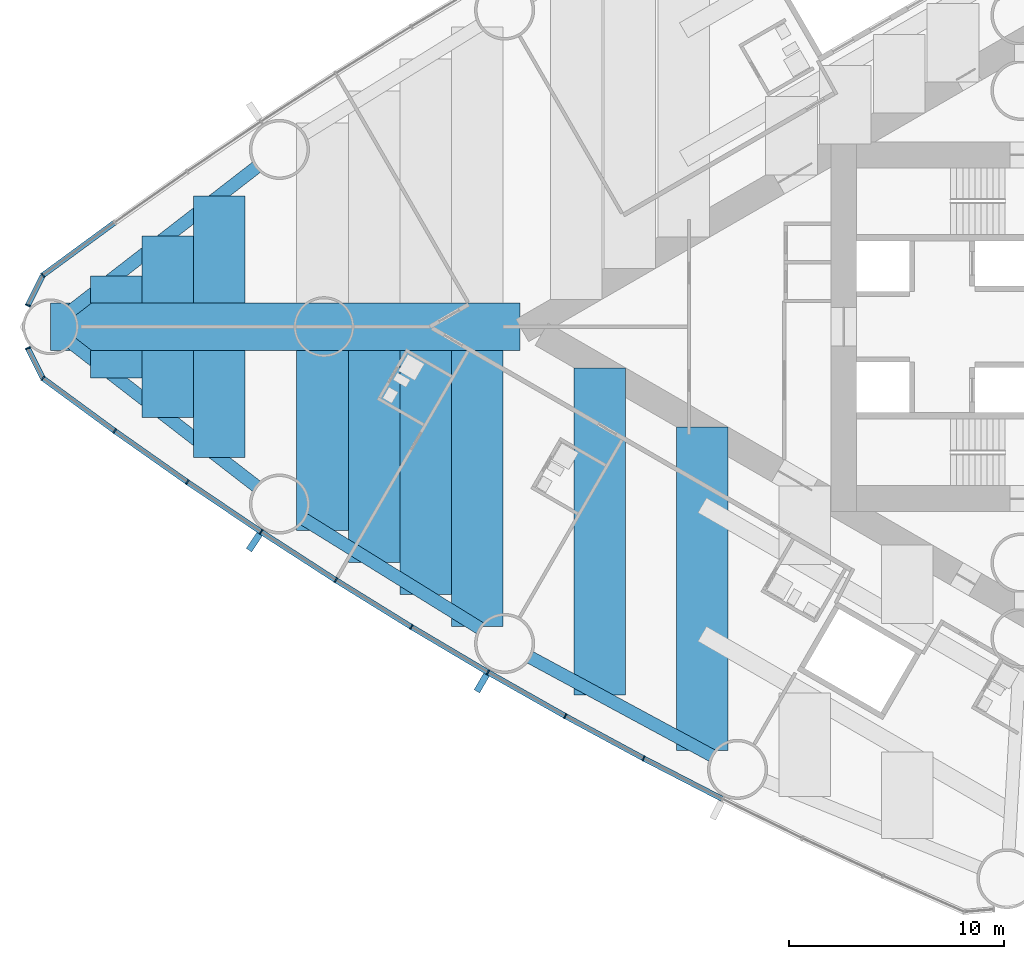
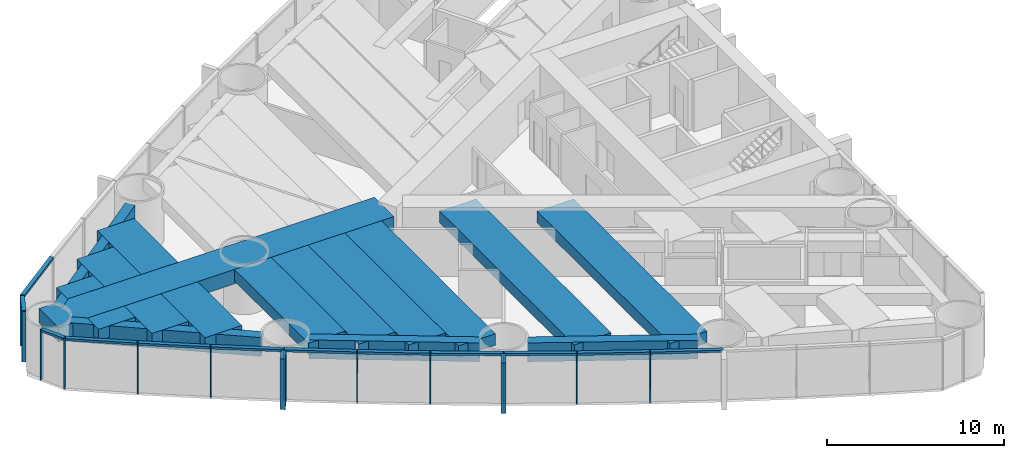
# One storey, part 2 of 19: 26 members, 17 beams, 2 elements without a shape of their own.
"""IFC4 building model written with IfcOpenShell, lengths in metres."""

import ifcopenshell
import ifcopenshell.guid

model = None  # the IFC model being written
_history = None  # IfcOwnerHistory: only IFC2X3 demands one
_inside = {}  # id of a spatial element -> (the spatial element, [elements in it])
_under = {}  # id of a project, library or spatial element -> (it, [spatial elements below it])
_declared = {}  # id of a project -> (the project, [libraries it declares])
_typed = {}  # id of a type object -> (the type object, [elements of that type])
_made_of = {}  # id of a material, layer set ... -> (it, [elements and type objects made of it])


def new_model(schema):
    """Start an empty IFC model of exactly this schema.

    Asked for "IFC4X3", IfcOpenShell would pick the latest addendum, in which some entities
    have other attributes; the version numbers below select the first issue.
    IFC2X3 requires an IfcOwnerHistory on every rooted entity: one is made here for all.
    """
    global model, _history
    if schema == "IFC4X3":
        model = ifcopenshell.file(schema_version=(4, 3, 0, 0))
    else:
        model = ifcopenshell.file(schema=schema)
    _inside.clear()
    _under.clear()
    _declared.clear()
    _typed.clear()
    _made_of.clear()
    _history = None
    if model.schema == "IFC2X3":
        org = make("IfcOrganization", Name="unknown")
        user = make(
            "IfcPersonAndOrganization",
            ThePerson=make("IfcPerson", FamilyName="unknown"),
            TheOrganization=org,
        )
        app = make(
            "IfcApplication",
            ApplicationDeveloper=org,
            Version="unknown",
            ApplicationFullName="unknown",
            ApplicationIdentifier="unknown",
        )
        _history = make(
            "IfcOwnerHistory",
            OwningUser=user,
            OwningApplication=app,
            ChangeAction="ADDED",
            CreationDate=0,
        )
    return model


def make(cls, **values):
    """One entity of the class cls with the attributes given. An attribute that is None is left unset."""
    return model.create_entity(
        cls, **{name: value for name, value in values.items() if value is not None}
    )


def rooted(cls, **values):
    """An entity with a GlobalId (a new one), such as an element, a storey or a relation."""
    return make(cls, GlobalId=ifcopenshell.guid.new(), OwnerHistory=_history, **values)


def si_unit(unit_type, name, prefix=None):
    """IfcSIUnit, for example si_unit("LENGTHUNIT", "METRE", prefix="MILLI")."""
    return make("IfcSIUnit", UnitType=unit_type, Prefix=prefix, Name=name)


def assignment(units):
    """IfcUnitAssignment: the units of a project."""
    return None if units is None else make("IfcUnitAssignment", Units=units)


def point(xyz):
    """IfcCartesianPoint."""
    return None if xyz is None else make("IfcCartesianPoint", Coordinates=xyz)


def direction(xyz):
    """IfcDirection."""
    return None if xyz is None else make("IfcDirection", DirectionRatios=xyz)


def frame(location, z_axis=None, x_axis=None):
    """IfcAxis2Placement3D, a coordinate frame: its origin and axes. An axis left out is left unset."""
    return make(
        "IfcAxis2Placement3D",
        Location=point(location),
        Axis=direction(z_axis),
        RefDirection=direction(x_axis),
    )


def frame_2d(location, x_axis=None):
    """IfcAxis2Placement2D, a coordinate frame in the plane: its origin and x axis."""
    return make(
        "IfcAxis2Placement2D", Location=point(location), RefDirection=direction(x_axis)
    )


def origin():
    """The frame at (0, 0, 0) with its axes left unset."""
    return frame((0.0, 0.0, 0.0))


def origin_2d():
    """The frame at (0, 0) in the plane with its x axis left unset."""
    return frame_2d((0.0, 0.0))


def place(relative_to, where):
    """IfcLocalPlacement: puts the frame where relative to a parent placement (None: the world)."""
    return make(
        "IfcLocalPlacement", PlacementRelTo=relative_to, RelativePlacement=where
    )


def context(
    kind, dimensions, precision=None, world=None, true_north=None, identifier=None
):
    """IfcGeometricRepresentationContext, for example the 3D "Model" context."""
    return make(
        "IfcGeometricRepresentationContext",
        ContextIdentifier=identifier,
        ContextType=kind,
        CoordinateSpaceDimension=dimensions,
        Precision=precision,
        WorldCoordinateSystem=world,
        TrueNorth=true_north,
    )


def subcontext(parent, identifier, kind, view, scale=None):
    """IfcGeometricRepresentationSubContext, for example "Body" below "Model"."""
    return make(
        "IfcGeometricRepresentationSubContext",
        ContextIdentifier=identifier,
        ContextType=kind,
        ParentContext=parent,
        TargetScale=scale,
        TargetView=view,
    )


def project(units=None, contexts=None):
    """IfcProject with its units and contexts."""
    return rooted(
        "IfcProject",
        Name="project",
        RepresentationContexts=contexts,
        UnitsInContext=assignment(units),
    )


def spatial(cls, under=None, at=None, **own):
    """A site, building, storey or space (cls), placed at a placement, below another one or the project."""
    s = rooted(cls, ObjectPlacement=at, **own)
    if under is not None:
        _under.setdefault(under.id(), (under, []))[1].append(s)
    return s


def profile(cls, at=None, kind="AREA", **sizes):
    """A parametric profile (cls). Its sizes go by their IFC names, for example OverallWidth=200.0."""
    return make(cls, ProfileType=kind, Position=at, **sizes)


def rectangle(**sizes):
    """IfcRectangleProfileDef."""
    return profile("IfcRectangleProfileDef", **sizes)


def hollow_rectangle(**sizes):
    """IfcRectangleHollowProfileDef."""
    return profile("IfcRectangleHollowProfileDef", **sizes)


def extrude(swept, where, along, depth):
    """IfcExtrudedAreaSolid: the profile swept, set in the frame where, extruded along a direction by depth."""
    return make(
        "IfcExtrudedAreaSolid",
        SweptArea=swept,
        Position=where,
        ExtrudedDirection=direction(along),
        Depth=depth,
    )


def shape(context_of_items, identifier, shape_type, items):
    """IfcShapeRepresentation: the items that make up one representation, for example the "Body"."""
    return make(
        "IfcShapeRepresentation",
        ContextOfItems=context_of_items,
        RepresentationIdentifier=identifier,
        RepresentationType=shape_type,
        Items=items,
    )


def material(Name=None, Category=None):
    """IfcMaterial."""
    return make("IfcMaterial", Name=Name, Category=Category)


def material_profile(
    of_material, cross_section, Name=None, Category=None, Priority=None
):
    """IfcMaterialProfile: a cross section and its material."""
    return make(
        "IfcMaterialProfile",
        Name=Name,
        Material=of_material,
        Profile=cross_section,
        Priority=Priority,
        Category=Category,
    )


def profile_set(profiles, Name=None, composite=None):
    """IfcMaterialProfileSet."""
    return make(
        "IfcMaterialProfileSet",
        Name=Name,
        MaterialProfiles=profiles,
        CompositeProfile=composite,
    )


def made_of(thing, what):
    """Note that an element or type object is made of a material, layer set ...; save() writes the relation."""
    if what is not None:
        _made_of.setdefault(what.id(), (what, []))[1].append(thing)
    return thing


def type_object(cls, material=None, **own):
    """A type object (cls), such as IfcWallType, which elements share."""
    return made_of(rooted(cls, **own), material)


def element(
    cls,
    number,
    at=None,
    inside=None,
    cuts=None,
    type_object=None,
    material=None,
    context=None,
    identifier="Body",
    shape_type=None,
    held_by="IfcProductDefinitionShape",
    body=None,
    shapes=None,
    **own,
):
    """One element of the class cls, such as IfcWall. Its Tag is "e" and its number.

    at: its placement. inside: the storey or other place that contains it. cuts: it is an
    opening in that element (IfcRelVoidsElement). A single representation is given by context,
    identifier, shape_type and body (its items); several are given by shapes. held_by: the class
    of the entity that holds the representations. save() writes the other relations.
    """
    e = rooted(cls, Tag="e%d" % number, ObjectPlacement=at, **own)
    if body is not None:
        shapes = [shape(context, identifier, shape_type, body)]
    if shapes is not None:
        e.Representation = make(held_by, Representations=shapes)
    if inside is not None:
        _inside.setdefault(inside.id(), (inside, []))[1].append(e)
    if cuts is not None:
        rooted(
            "IfcRelVoidsElement", RelatingBuildingElement=cuts, RelatedOpeningElement=e
        )
    if type_object is not None:
        _typed.setdefault(type_object.id(), (type_object, []))[1].append(e)
    return made_of(e, material)


def aggregate(whole, parts):
    """IfcRelAggregates: a whole, such as a stair, and the parts it consists of."""
    return rooted("IfcRelAggregates", RelatingObject=whole, RelatedObjects=parts)


def save(model, path):
    """Write the relations noted so far, then the file.

    IfcRelAggregates (storeys below a building ...), IfcRelContainedInSpatialStructure (elements
    in a storey), IfcRelDefinesByType, IfcRelAssociatesMaterial and IfcRelDeclares: one each for
    every whole, place, type object, material and project.
    """
    for whole, parts in _under.values():
        aggregate(whole, parts)
    for where, things in _inside.values():
        rooted(
            "IfcRelContainedInSpatialStructure",
            RelatedElements=things,
            RelatingStructure=where,
        )
    for kind, things in _typed.values():
        rooted("IfcRelDefinesByType", RelatedObjects=things, RelatingType=kind)
    for what, things in _made_of.values():
        rooted("IfcRelAssociatesMaterial", RelatedObjects=things, RelatingMaterial=what)
    for by, libraries in _declared.values():
        rooted("IfcRelDeclares", RelatingContext=by, RelatedDefinitions=libraries)
    model.write(path)


model = new_model("IFC4")

# Units and contexts
model_context = context("Model", 3, precision=1e-05, world=origin(), true_north=direction((0.0, 1.0)))
body_context = subcontext(model_context, "Body", "Model", "MODEL_VIEW")
ifc_project = project(units=[si_unit("LENGTHUNIT", "METRE"), si_unit("AREAUNIT", "SQUARE_METRE"), si_unit("VOLUMEUNIT", "CUBIC_METRE"), si_unit("PLANEANGLEUNIT", "RADIAN"), si_unit("MASSUNIT", "GRAM", prefix="KILO")], contexts=[model_context])

# Site, building, storey
site_placement = place(None, origin())
site = spatial("IfcSite", under=ifc_project, at=site_placement, CompositionType="ELEMENT")
building_placement = place(site_placement, origin())
building = spatial("IfcBuilding", under=site, at=building_placement, Name="Lancet Gate Hotel", CompositionType="ELEMENT")
storey_placement = place(building_placement, frame((0.0, 0.0, 74.0)))
storey = spatial("IfcBuildingStorey", under=building, at=storey_placement, Name="L19", CompositionType="ELEMENT", Elevation=74.0)

# Curtain wall, members
ifc_material_1 = material(Name="Aluminium curtain wall", Category="aluminium")
curtain_wall_type = type_object("IfcCurtainWallType", Name="Tower unitised curtain wall", PredefinedType="USERDEFINED", material=ifc_material_1)
curtain_wall_1_placement = place(storey_placement, origin())
curtain_wall_1 = element("IfcCurtainWall", 1, at=curtain_wall_1_placement, inside=storey, type_object=curtain_wall_type, Name="T1 L19 curtain wall 2", ObjectType="UNITISED CURTAIN WALL", PredefinedType="USERDEFINED")
ifc_material_2 = material(Name="Aluminium mullion", Category="aluminium")
ifc_material_profile_1 = material_profile(ifc_material_2, rectangle(XDim=0.06494140625, YDim=0.25, at=origin_2d()), Name="MULLION 65x250")
ifc_profile_set_1 = profile_set([ifc_material_profile_1], Name="Aluminium mullion")
member_type_1 = type_object("IfcMemberType", Name="Aluminium mullion 65x250", PredefinedType="MULLION", material=ifc_profile_set_1)
member_1_placement = place(storey_placement, frame((-74.5830078125, 2.401611328125, 0.0), z_axis=(0.0, 0.0, 1.0), x_axis=(-0.723695580132, -0.690119342793, 0.0)))
member_1 = element("IfcMember", 2, at=member_1_placement, type_object=member_type_1, Name="T1 L19 curtain wall 2 mullion 14", PredefinedType="MULLION", context=body_context, shape_type="SweptSolid", body=[
    extrude(rectangle(XDim=0.06494140625, YDim=0.25, at=origin_2d()), origin(), (0.0, 0.0, 1.0), 3.5),
])
member_2_placement = place(storey_placement, frame((-75.287109375, 0.994873046875, 0.0), z_axis=(0.0, 0.0, 1.0), x_axis=(-0.447628324726, -0.89421970617, 0.0)))
member_2 = element("IfcMember", 3, at=member_2_placement, type_object=member_type_1, Name="T1 L19 curtain wall 2 mullion 15", PredefinedType="MULLION", context=body_context, shape_type="SweptSolid", body=[
    extrude(rectangle(XDim=0.06494140625, YDim=0.25, at=origin_2d()), origin(), (0.0, 0.0, 1.0), 3.5),
])

curtain_wall_2_placement = place(storey_placement, origin())
curtain_wall_2 = element("IfcCurtainWall", 4, at=curtain_wall_2_placement, inside=storey, type_object=curtain_wall_type, Name="T1 L19 curtain wall 3", ObjectType="UNITISED CURTAIN WALL", PredefinedType="USERDEFINED")
member_3_placement = place(storey_placement, frame((-75.287109375, -0.994873046875, 0.0), z_axis=(0.0, 0.0, 1.0), x_axis=(0.447628324726, -0.89421970617, 0.0)))
member_3 = element("IfcMember", 5, at=member_3_placement, type_object=member_type_1, Name="T1 L19 curtain wall 3 mullion 1", PredefinedType="MULLION", context=body_context, shape_type="SweptSolid", body=[
    extrude(rectangle(XDim=0.06494140625, YDim=0.25, at=origin_2d()), origin(), (0.0, 0.0, 1.0), 3.5),
])
member_4_placement = place(storey_placement, frame((-74.5830078125, -2.401611328125, 0.0), z_axis=(0.0, 0.0, 1.0), x_axis=(0.723695580132, -0.690119342793, 0.0)))
member_4 = element("IfcMember", 6, at=member_4_placement, type_object=member_type_1, Name="T1 L19 curtain wall 3 mullion 2", PredefinedType="MULLION", context=body_context, shape_type="SweptSolid", body=[
    extrude(rectangle(XDim=0.06494140625, YDim=0.25, at=origin_2d()), origin(), (0.0, 0.0, 1.0), 3.5),
])
member_5_placement = place(storey_placement, frame((-71.244384765625, -4.85009765625, 0.0), z_axis=(0.0, 0.0, 1.0), x_axis=(0.812146623168, -0.583453393578, 0.0)))
member_5 = element("IfcMember", 7, at=member_5_placement, type_object=member_type_1, Name="T1 L19 curtain wall 3 mullion 3", PredefinedType="MULLION", context=body_context, shape_type="SweptSolid", body=[
    extrude(rectangle(XDim=0.06494140625, YDim=0.25, at=origin_2d()), origin(), (0.0, 0.0, 1.0), 3.5),
])
member_6_placement = place(storey_placement, frame((-67.858154296875, -7.232666015625, 0.0), z_axis=(0.0, 0.0, 1.0), x_axis=(0.823425148573, -0.56742490666, 0.0)))
member_6 = element("IfcMember", 8, at=member_6_placement, type_object=member_type_1, Name="T1 L19 curtain wall 3 mullion 4", PredefinedType="MULLION", context=body_context, shape_type="SweptSolid", body=[
    extrude(rectangle(XDim=0.06494140625, YDim=0.25, at=origin_2d()), origin(), (0.0, 0.0, 1.0), 3.5),
])
member_7_placement = place(storey_placement, frame((-64.42626953125, -9.548583984375, 0.0), z_axis=(0.0, 0.0, 1.0), x_axis=(0.834387381945, -0.55117846189, 0.0)))
member_7 = element("IfcMember", 9, at=member_7_placement, type_object=member_type_1, Name="T1 L19 curtain wall 3 mullion 5", PredefinedType="MULLION", context=body_context, shape_type="SweptSolid", body=[
    extrude(rectangle(XDim=0.06494140625, YDim=0.25, at=origin_2d()), origin(), (0.0, 0.0, 1.0), 3.5),
])
member_8_placement = place(storey_placement, frame((-60.949462890625, -11.796630859375, 0.0), z_axis=(0.0, 0.0, 1.0), x_axis=(0.845029112489, -0.534720299827, 0.0)))
member_8 = element("IfcMember", 10, at=member_8_placement, type_object=member_type_1, Name="T1 L19 curtain wall 3 mullion 6", PredefinedType="MULLION", context=body_context, shape_type="SweptSolid", body=[
    extrude(rectangle(XDim=0.06494140625, YDim=0.25, at=origin_2d()), origin(), (0.0, 0.0, 1.0), 3.5),
])
member_9_placement = place(storey_placement, frame((-57.42919921875, -13.97607421875, 0.0), z_axis=(0.0, 0.0, 1.0), x_axis=(0.855346252548, -0.518056742309, 0.0)))
member_9 = element("IfcMember", 11, at=member_9_placement, type_object=member_type_1, Name="T1 L19 curtain wall 3 mullion 7", PredefinedType="MULLION", context=body_context, shape_type="SweptSolid", body=[
    extrude(rectangle(XDim=0.06494140625, YDim=0.25, at=origin_2d()), origin(), (0.0, 0.0, 1.0), 3.5),
])
member_10_placement = place(storey_placement, frame((-53.866943359375, -16.086181640625, 0.0), z_axis=(0.0, 0.0, 1.0), x_axis=(0.86533483912, -0.501194190115, 0.0)))
member_10 = element("IfcMember", 12, at=member_10_placement, type_object=member_type_1, Name="T1 L19 curtain wall 3 mullion 8", PredefinedType="MULLION", context=body_context, shape_type="SweptSolid", body=[
    extrude(rectangle(XDim=0.06494140625, YDim=0.25, at=origin_2d()), origin(), (0.0, 0.0, 1.0), 3.5),
])
member_11_placement = place(storey_placement, frame((-50.26416015625, -18.1259765625, 0.0), z_axis=(0.0, 0.0, 1.0), x_axis=(0.874991035403, -0.484139120464, 0.0)))
member_11 = element("IfcMember", 13, at=member_11_placement, type_object=member_type_1, Name="T1 L19 curtain wall 3 mullion 9", PredefinedType="MULLION", context=body_context, shape_type="SweptSolid", body=[
    extrude(rectangle(XDim=0.06494140625, YDim=0.25, at=origin_2d()), origin(), (0.0, 0.0, 1.0), 3.5),
])
member_12_placement = place(storey_placement, frame((-46.6220703125, -20.094970703125, 0.0), z_axis=(0.0, 0.0, 1.0), x_axis=(0.884311132302, -0.466898084475, 0.0)))
member_12 = element("IfcMember", 14, at=member_12_placement, type_object=member_type_1, Name="T1 L19 curtain wall 3 mullion 10", PredefinedType="MULLION", context=body_context, shape_type="SweptSolid", body=[
    extrude(rectangle(XDim=0.06494140625, YDim=0.25, at=origin_2d()), origin(), (0.0, 0.0, 1.0), 3.5),
])

# Member
ifc_material_3 = material(Name="Aluminium transom", Category="aluminium")
ifc_material_profile_2 = material_profile(ifc_material_3, rectangle(XDim=0.25, YDim=0.14990234375, at=origin_2d()), Name="TRANSOM 250x150")
ifc_profile_set_2 = profile_set([ifc_material_profile_2], Name="Aluminium transom")
member_type_2 = type_object("IfcMemberType", Name="Aluminium transom 250x150", PredefinedType="USERDEFINED", material=ifc_profile_set_2)
member_13_placement = place(storey_placement, frame((-71.2705078125, 4.8310546875, 3.425048828125), z_axis=(-0.806366902144, -0.59141560609, 0.0), x_axis=(0.59141560609, -0.806366902144, 0.0)))
member_13 = element("IfcMember", 15, at=member_13_placement, type_object=member_type_2, Name="T1 L19 curtain wall 2 transom 13", ObjectType="TRANSOM", PredefinedType="USERDEFINED", context=body_context, shape_type="SweptSolid", body=[
    extrude(rectangle(XDim=0.25, YDim=0.14990234375, at=origin_2d()), origin(), (0.0, 0.0, 1.0), 4.0751953125),
])

member_14_placement = place(storey_placement, frame((-74.597412109375, 2.37255859375, 3.425048828125), z_axis=(-0.447731503446, -0.894168049542, 0.0), x_axis=(0.894168049542, -0.447731503446, 0.0)))
member_14 = element("IfcMember", 16, at=member_14_placement, type_object=member_type_2, Name="T1 L19 curtain wall 2 transom 14", ObjectType="TRANSOM", PredefinedType="USERDEFINED", context=body_context, shape_type="SweptSolid", body=[
    extrude(rectangle(XDim=0.25, YDim=0.14990234375, at=origin_2d()), origin(), (0.0, 0.0, 1.0), 1.50830078125),
])

aggregate(curtain_wall_1, [member_1, member_2, member_13, member_14])

member_15_placement = place(storey_placement, frame((-75.272705078125, -1.02392578125, 3.425048828125), z_axis=(0.447731503446, -0.894168049542, 0.0), x_axis=(0.894168049542, 0.447731503446, 0.0)))
member_15 = element("IfcMember", 17, at=member_15_placement, type_object=member_type_2, Name="T1 L19 curtain wall 3 transom 1", ObjectType="TRANSOM", PredefinedType="USERDEFINED", context=body_context, shape_type="SweptSolid", body=[
    extrude(rectangle(XDim=0.25, YDim=0.14990234375, at=origin_2d()), origin(), (0.0, 0.0, 1.0), 1.50830078125),
])

member_16_placement = place(storey_placement, frame((-74.556640625, -2.4208984375, 3.425048828125), z_axis=(0.806366902144, -0.59141560609, 0.0), x_axis=(0.59141560609, 0.806366902144, 0.0)))
member_16 = element("IfcMember", 18, at=member_16_placement, type_object=member_type_2, Name="T1 L19 curtain wall 3 transom 2", ObjectType="TRANSOM", PredefinedType="USERDEFINED", context=body_context, shape_type="SweptSolid", body=[
    extrude(rectangle(XDim=0.25, YDim=0.14990234375, at=origin_2d()), origin(), (0.0, 0.0, 1.0), 4.0751953125),
])

member_17_placement = place(storey_placement, frame((-71.2177734375, -4.868896484375, 3.425048828125), z_axis=(0.817833568345, -0.57545482402, 0.0), x_axis=(0.57545482402, 0.817833568345, 0.0)))
member_17 = element("IfcMember", 19, at=member_17_placement, type_object=member_type_2, Name="T1 L19 curtain wall 3 transom 3", ObjectType="TRANSOM", PredefinedType="USERDEFINED", context=body_context, shape_type="SweptSolid", body=[
    extrude(rectangle(XDim=0.25, YDim=0.14990234375, at=origin_2d()), origin(), (0.0, 0.0, 1.0), 4.075439453125),
])

member_18_placement = place(storey_placement, frame((-67.831298828125, -7.2509765625, 3.425048828125), z_axis=(0.828959086782, -0.559309245804, 0.0), x_axis=(0.559309245804, 0.828959086782, 0.0)))
member_18 = element("IfcMember", 20, at=member_18_placement, type_object=member_type_2, Name="T1 L19 curtain wall 3 transom 4", ObjectType="TRANSOM", PredefinedType="USERDEFINED", context=body_context, shape_type="SweptSolid", body=[
    extrude(rectangle(XDim=0.25, YDim=0.14990234375, at=origin_2d()), origin(), (0.0, 0.0, 1.0), 4.0751953125),
])

member_19_placement = place(storey_placement, frame((-64.39892578125, -9.566162109375, 3.425048828125), z_axis=(0.839729242404, -0.543005340169, 0.0), x_axis=(0.543005340169, 0.839729242404, 0.0)))
member_19 = element("IfcMember", 21, at=member_19_placement, type_object=member_type_2, Name="T1 L19 curtain wall 3 transom 5", ObjectType="TRANSOM", PredefinedType="USERDEFINED", context=body_context, shape_type="SweptSolid", body=[
    extrude(rectangle(XDim=0.25, YDim=0.14990234375, at=origin_2d()), origin(), (0.0, 0.0, 1.0), 4.0751953125),
])

member_20_placement = place(storey_placement, frame((-60.921875, -11.813720703125, 3.425048828125), z_axis=(0.850242165643, -0.526391736032, 0.0), x_axis=(0.526391736032, 0.850242165643, 0.0)))
member_20 = element("IfcMember", 22, at=member_20_placement, type_object=member_type_2, Name="T1 L19 curtain wall 3 transom 6", ObjectType="TRANSOM", PredefinedType="USERDEFINED", context=body_context, shape_type="SweptSolid", body=[
    extrude(rectangle(XDim=0.25, YDim=0.14990234375, at=origin_2d()), origin(), (0.0, 0.0, 1.0), 4.075439453125),
])

member_21_placement = place(storey_placement, frame((-57.4013671875, -13.99267578125, 3.425048828125), z_axis=(0.86039174806, -0.509633240547, 0.0), x_axis=(0.509633240547, 0.86039174806, 0.0)))
member_21 = element("IfcMember", 23, at=member_21_placement, type_object=member_type_2, Name="T1 L19 curtain wall 3 transom 7", ObjectType="TRANSOM", PredefinedType="USERDEFINED", context=body_context, shape_type="SweptSolid", body=[
    extrude(rectangle(XDim=0.25, YDim=0.14990234375, at=origin_2d()), origin(), (0.0, 0.0, 1.0), 4.0751953125),
])

member_22_placement = place(storey_placement, frame((-53.838623046875, -16.102294921875, 3.425048828125), z_axis=(0.870197729943, -0.492702659625, 0.0), x_axis=(0.492702659625, 0.870197729943, 0.0)))
member_22 = element("IfcMember", 24, at=member_22_placement, type_object=member_type_2, Name="T1 L19 curtain wall 3 transom 8", ObjectType="TRANSOM", PredefinedType="USERDEFINED", context=body_context, shape_type="SweptSolid", body=[
    extrude(rectangle(XDim=0.25, YDim=0.14990234375, at=origin_2d()), origin(), (0.0, 0.0, 1.0), 4.0751953125),
])

member_23_placement = place(storey_placement, frame((-50.235595703125, -18.1416015625, 3.425048828125), z_axis=(0.87971396408, -0.475503250675, 0.0), x_axis=(0.475503250675, 0.87971396408, 0.0)))
member_23 = element("IfcMember", 25, at=member_23_placement, type_object=member_type_2, Name="T1 L19 curtain wall 3 transom 9", ObjectType="TRANSOM", PredefinedType="USERDEFINED", context=body_context, shape_type="SweptSolid", body=[
    extrude(rectangle(XDim=0.25, YDim=0.14990234375, at=origin_2d()), origin(), (0.0, 0.0, 1.0), 4.0751953125),
])

member_24_placement = place(storey_placement, frame((-46.593017578125, -20.10986328125, 3.425048828125), z_axis=(0.888859972399, -0.458178949175, 0.0), x_axis=(0.458178949175, 0.888859972399, 0.0)))
member_24 = element("IfcMember", 26, at=member_24_placement, type_object=member_type_2, Name="T1 L19 curtain wall 3 transom 10", ObjectType="TRANSOM", PredefinedType="USERDEFINED", context=body_context, shape_type="SweptSolid", body=[
    extrude(rectangle(XDim=0.25, YDim=0.14990234375, at=origin_2d()), origin(), (0.0, 0.0, 1.0), 4.0751953125),
])

# Beams
ifc_material_4 = material(Name="Steel S460QL", Category="steel")
ifc_material_profile_3 = material_profile(ifc_material_4, hollow_rectangle(XDim=0.60009765625, YDim=1.300048828125, WallThickness=0.050048828125, at=origin_2d()), Name="BOX 1300x600x50")
ifc_profile_set_3 = profile_set([ifc_material_profile_3], Name="Steel S460QL")
beam_type_1 = type_object("IfcBeamType", Name="Edge beam BOX 1300x600x50", PredefinedType="SPANDREL", material=ifc_profile_set_3)
for number, where, z_axis, x_axis, name in (
    (27, (-64.639404296875, 7.4287109375, 2.60009765625), (-0.79073421395, -0.612159622066, 0.0), (0.612159622066, -0.79073421395, 0.0), "T1 edge beam EB2 L19"),
    (28, (-73.246826171875, -0.76513671875, 2.60009765625), (0.79073421395, -0.612159622066, 0.0), (0.612159622066, 0.79073421395, 0.0), "T1 edge beam EB2 L19"),
):
    element("IfcBeam", number, at=place(storey_placement, frame(where, z_axis=z_axis, x_axis=x_axis)), inside=storey, type_object=beam_type_1, Name=name, PredefinedType="SPANDREL", context=body_context, shape_type="SweptSolid", body=[
        extrude(hollow_rectangle(XDim=0.60009765625, YDim=1.300048828125, WallThickness=0.050048828125, at=origin_2d()), origin(), (0.0, 0.0, 1.0), 10.88525390625),
    ])
beam_1_placement = place(storey_placement, frame((-62.424072265625, -8.9658203125, 2.60009765625), z_axis=(0.85022731652, -0.526415719981, 0.0), x_axis=(0.526415719981, 0.85022731652, 0.0)))
element("IfcBeam", 29, at=beam_1_placement, inside=storey, type_object=beam_type_1, Name="T1 edge beam EB2 L19", PredefinedType="SPANDREL", context=body_context, shape_type="SweptSolid", body=[
    extrude(hollow_rectangle(XDim=0.60009765625, YDim=1.300048828125, WallThickness=0.050048828125, at=origin_2d()), origin(), (0.0, 0.0, 1.0), 9.628173828125),
])
beam_2_placement = place(storey_placement, frame((-51.902587890625, -15.386962890625, 2.60009765625), z_axis=(0.879700493083, -0.475528172109, 0.0), x_axis=(0.475528172109, 0.879700493083, 0.0)))
element("IfcBeam", 30, at=beam_2_placement, inside=storey, type_object=beam_type_1, Name="T1 edge beam EB2 L19", PredefinedType="SPANDREL", context=body_context, shape_type="SweptSolid", body=[
    extrude(hollow_rectangle(XDim=0.60009765625, YDim=1.300048828125, WallThickness=0.050048828125, at=origin_2d()), origin(), (0.0, 0.0, 1.0), 9.6279296875),
])

# Member
ifc_material_5 = material(Name="Precast concrete C50/60", Category="concrete")
ifc_material_profile_4 = material_profile(ifc_material_5, rectangle(XDim=0.300048828125, YDim=0.89990234375, at=origin_2d()), Name="FIN 300x900")
ifc_profile_set_4 = profile_set([ifc_material_profile_4], Name="Precast concrete C50/60")
member_type_3 = type_object("IfcMemberType", Name="Exposed concrete fin 300x900", PredefinedType="USERDEFINED", material=ifc_profile_set_4)
member_25_placement = place(storey_placement, frame((-64.7431640625, -10.0283203125, 0.0), z_axis=(0.0, 0.0, 1.0), x_axis=(0.834387381945, -0.55117846189, 0.0)))
member_25 = element("IfcMember", 31, at=member_25_placement, type_object=member_type_3, Name="T1 L19 curtain wall 3 fin 5", ObjectType="FIN", PredefinedType="USERDEFINED", context=body_context, shape_type="SweptSolid", body=[
    extrude(rectangle(XDim=0.300048828125, YDim=0.89990234375, at=origin_2d()), origin(), (0.0, 0.0, 1.0), 3.5),
])

member_26_placement = place(storey_placement, frame((-54.1552734375, -16.583740234375, 0.0), z_axis=(0.0, 0.0, 1.0), x_axis=(0.86533483912, -0.501194190115, 0.0)))
member_26 = element("IfcMember", 32, at=member_26_placement, type_object=member_type_3, Name="T1 L19 curtain wall 3 fin 8", ObjectType="FIN", PredefinedType="USERDEFINED", context=body_context, shape_type="SweptSolid", body=[
    extrude(rectangle(XDim=0.300048828125, YDim=0.89990234375, at=origin_2d()), origin(), (0.0, 0.0, 1.0), 3.5),
])

aggregate(curtain_wall_2, [member_3, member_4, member_5, member_6, member_7, member_25, member_8, member_9, member_10, member_26, member_11, member_12, member_15, member_16, member_17, member_18, member_19, member_20, member_21, member_22, member_23, member_24])

# Beams
ifc_material_6 = material(Name="Concrete C50/60", Category="concrete")
ifc_material_profile_5 = material_profile(ifc_material_6, rectangle(XDim=2.39990234375, YDim=0.800048828125, at=origin_2d()), Name="RC 2400x800")
ifc_profile_set_5 = profile_set([ifc_material_profile_5], Name="Concrete C50/60")
beam_type_2 = type_object("IfcBeamType", Name="Floor beam RC 2400x800", PredefinedType="BEAM", material=ifc_profile_set_5)
beam_3_placement = place(storey_placement, frame((-43.891357421875, -4.663330078125, 2.85009765625), z_axis=(0.0, -1.0, 0.0), x_axis=(1.0, 0.0, 0.0)))
element("IfcBeam", 33, at=beam_3_placement, inside=storey, type_object=beam_type_2, Name="T1 floor beam F08N L19", PredefinedType="BEAM", context=body_context, shape_type="SweptSolid", body=[
    extrude(rectangle(XDim=2.39990234375, YDim=0.800048828125, at=origin_2d()), origin(), (0.0, 0.0, 1.0), 15.05419921875),
])
beam_4_placement = place(storey_placement, frame((-48.66015625, -1.909912109375, 2.85009765625), z_axis=(0.0, -1.0, 0.0), x_axis=(1.0, 0.0, 0.0)))
element("IfcBeam", 34, at=beam_4_placement, inside=storey, type_object=beam_type_2, Name="T1 floor beam F11N L19", PredefinedType="BEAM", context=body_context, shape_type="SweptSolid", body=[
    extrude(rectangle(XDim=2.39990234375, YDim=0.800048828125, at=origin_2d()), origin(), (0.0, 0.0, 1.0), 15.229736328125),
])
beam_5_placement = place(storey_placement, frame((-54.3681640625, -1.10009765625, 2.85009765625), z_axis=(0.0, -1.0, 0.0), x_axis=(1.0, 0.0, 0.0)))
element("IfcBeam", 35, at=beam_5_placement, inside=storey, type_object=beam_type_2, Name="T1 floor beam F14N L19", PredefinedType="BEAM", context=body_context, shape_type="SweptSolid", body=[
    extrude(rectangle(XDim=2.39990234375, YDim=0.800048828125, at=origin_2d()), origin(), (0.0, 0.0, 1.0), 12.853515625),
])
beam_6_placement = place(storey_placement, frame((-56.768310546875, -1.10009765625, 2.85009765625), z_axis=(0.0, -1.0, 0.0), x_axis=(1.0, 0.0, 0.0)))
element("IfcBeam", 36, at=beam_6_placement, inside=storey, type_object=beam_type_2, Name="T1 floor beam F16N L19", PredefinedType="BEAM", context=body_context, shape_type="SweptSolid", body=[
    extrude(rectangle(XDim=2.39990234375, YDim=0.800048828125, at=origin_2d()), origin(), (0.0, 0.0, 1.0), 11.367431640625),
])
beam_7_placement = place(storey_placement, frame((-59.168212890625, -1.10009765625, 2.85009765625), z_axis=(0.0, -1.0, 0.0), x_axis=(1.0, 0.0, 0.0)))
element("IfcBeam", 37, at=beam_7_placement, inside=storey, type_object=beam_type_2, Name="T1 floor beam F18N L19", PredefinedType="BEAM", context=body_context, shape_type="SweptSolid", body=[
    extrude(rectangle(XDim=2.39990234375, YDim=0.800048828125, at=origin_2d()), origin(), (0.0, 0.0, 1.0), 9.881591796875),
])
beam_8_placement = place(storey_placement, frame((-61.568359375, -1.10009765625, 2.85009765625), z_axis=(0.0, -1.0, 0.0), x_axis=(1.0, 0.0, 0.0)))
element("IfcBeam", 38, at=beam_8_placement, inside=storey, type_object=beam_type_2, Name="T1 floor beam F20N L19", PredefinedType="BEAM", context=body_context, shape_type="SweptSolid", body=[
    extrude(rectangle(XDim=2.39990234375, YDim=0.800048828125, at=origin_2d()), origin(), (0.0, 0.0, 1.0), 8.395751953125),
])
for number, where, z_axis, x_axis, name in (
    (39, (-66.3681640625, 6.09033203125, 2.85009765625), (0.0, -1.0, 0.0), (1.0, 0.0, 0.0), "T1 floor beam F21S L19"),
    (40, (-66.3681640625, -1.10009765625, 2.85009765625), (0.0, -1.0, 0.0), (1.0, 0.0, 0.0), "T1 floor beam F22N L19"),
):
    element("IfcBeam", number, at=place(storey_placement, frame(where, z_axis=z_axis, x_axis=x_axis)), inside=storey, type_object=beam_type_2, Name=name, PredefinedType="BEAM", context=body_context, shape_type="SweptSolid", body=[
        extrude(rectangle(XDim=2.39990234375, YDim=0.800048828125, at=origin_2d()), origin(), (0.0, 0.0, 1.0), 4.990234375),
    ])
for number, where, z_axis, x_axis, name in (
    (41, (-68.768310546875, 4.232421875, 2.85009765625), (0.0, -1.0, 0.0), (1.0, 0.0, 0.0), "T1 floor beam F23S L19"),
    (42, (-68.768310546875, -1.10009765625, 2.85009765625), (0.0, -1.0, 0.0), (1.0, 0.0, 0.0), "T1 floor beam F24N L19"),
):
    element("IfcBeam", number, at=place(storey_placement, frame(where, z_axis=z_axis, x_axis=x_axis)), inside=storey, type_object=beam_type_2, Name=name, PredefinedType="BEAM", context=body_context, shape_type="SweptSolid", body=[
        extrude(rectangle(XDim=2.39990234375, YDim=0.800048828125, at=origin_2d()), origin(), (0.0, 0.0, 1.0), 3.13232421875),
    ])
for number, where, z_axis, x_axis, name in (
    (43, (-71.168212890625, 2.374267578125, 2.85009765625), (0.0, -1.0, 0.0), (1.0, 0.0, 0.0), "T1 floor beam F25S L19"),
    (44, (-71.168212890625, -1.10009765625, 2.85009765625), (0.0, -1.0, 0.0), (1.0, 0.0, 0.0), "T1 floor beam F26N L19"),
):
    element("IfcBeam", number, at=place(storey_placement, frame(where, z_axis=z_axis, x_axis=x_axis)), inside=storey, type_object=beam_type_2, Name=name, PredefinedType="BEAM", context=body_context, shape_type="SweptSolid", body=[
        extrude(rectangle(XDim=2.39990234375, YDim=0.800048828125, at=origin_2d()), origin(), (0.0, 0.0, 1.0), 1.274169921875),
    ])
ifc_material_7 = material(Name="Concrete C50/60", Category="concrete")
ifc_material_profile_6 = material_profile(ifc_material_7, rectangle(XDim=2.199951171875, YDim=1.0, at=origin_2d()), Name="RC 2200x1000")
ifc_profile_set_6 = profile_set([ifc_material_profile_6], Name="Concrete C50/60")
beam_type_3 = type_object("IfcBeamType", Name="Radial floor beam RC 2200x1000", PredefinedType="BEAM", material=ifc_profile_set_6)
beam_9_placement = place(storey_placement, frame((-74.235107421875, 0.0, 2.75), z_axis=(1.0, 0.0, 0.0), x_axis=(0.0, 1.0, 0.0)))
element("IfcBeam", 45, at=beam_9_placement, inside=storey, type_object=beam_type_3, Name="T1 radial beam CA L19", PredefinedType="BEAM", context=body_context, shape_type="SweptSolid", body=[
    extrude(rectangle(XDim=2.199951171875, YDim=1.0, at=origin_2d()), origin(), (0.0, 0.0, 1.0), 21.866943359375),
])

save(model, "model.ifc")
